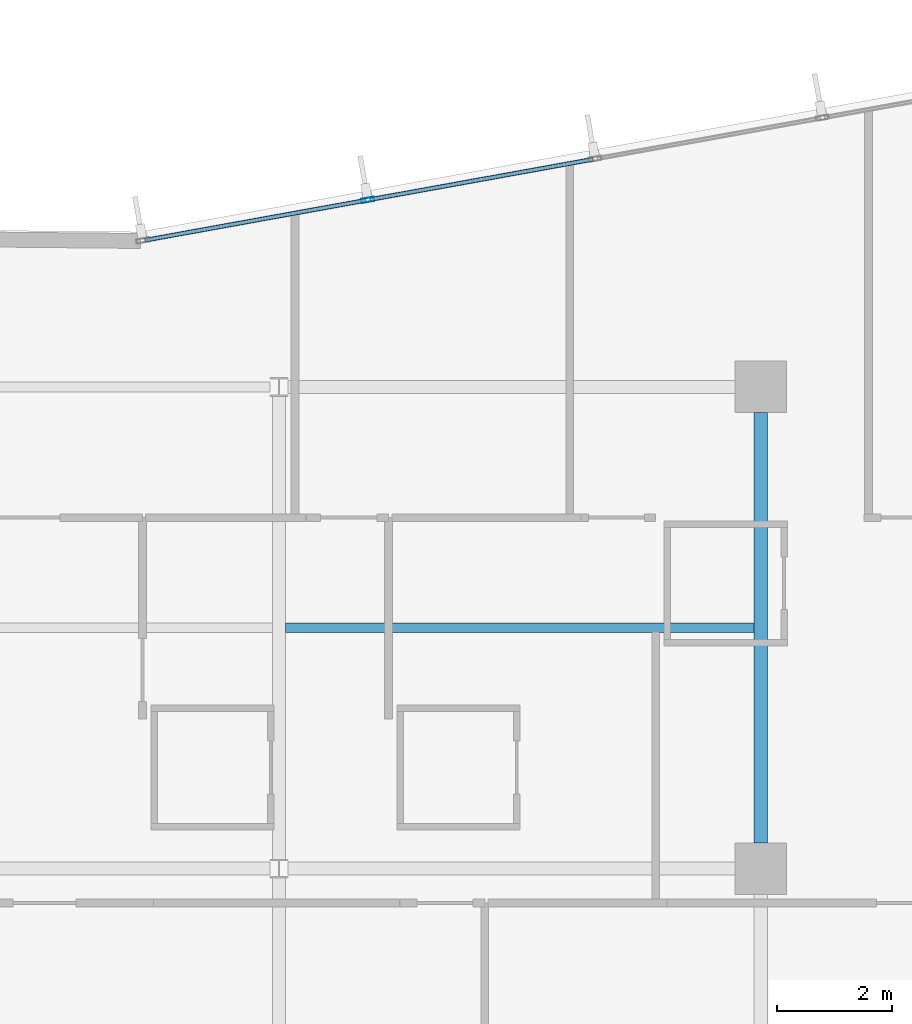
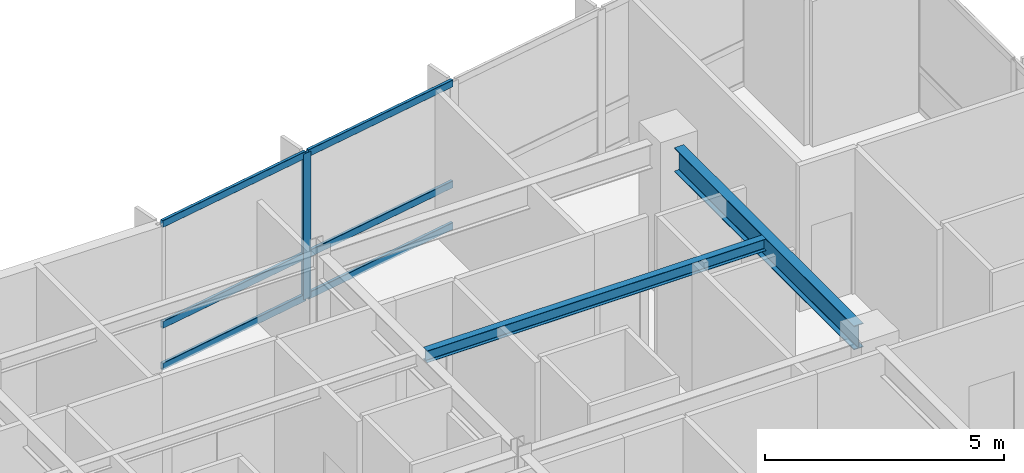
# One storey, part 8 of 22: 7 members, 2 beams, 1 element without a shape of its own.
"""IFC4 building model written with IfcOpenShell, lengths in metres."""

from ifc_helpers import new_model, si_unit, direction, frame, origin, origin_2d, place, context, subcontext, project, spatial, hollow_rectangle, i_section, extrude, material, layer, layer_set, material_profile, profile_set, type_object, element, aggregate, save


model = new_model("IFC4")

# Units and contexts
model_context = context("Model", 3, precision=1e-05, world=origin(), true_north=direction((0.0, 1.0)))
body_context = subcontext(model_context, "Body", "Model", "MODEL_VIEW")
ifc_project = project(units=[si_unit("LENGTHUNIT", "METRE"), si_unit("AREAUNIT", "SQUARE_METRE"), si_unit("VOLUMEUNIT", "CUBIC_METRE"), si_unit("PLANEANGLEUNIT", "RADIAN"), si_unit("MASSUNIT", "GRAM", prefix="KILO")], contexts=[model_context])

# Site, building, storey
site_placement = place(None, origin())
site = spatial("IfcSite", under=ifc_project, at=site_placement, CompositionType="ELEMENT")
building_placement = place(site_placement, origin())
building = spatial("IfcBuilding", under=site, at=building_placement, Name="Varnakote Quay Hospital", CompositionType="ELEMENT")
storey_placement = place(building_placement, frame((0.0, 0.0, 62.0)))
storey = spatial("IfcBuildingStorey", under=building, at=storey_placement, Name="L15", CompositionType="ELEMENT", Elevation=62.0)

# Beam
ifc_material_1 = material(Name="Structural steel AS/NZS 3679.1 Grade 350 L0 (fy 340 MPa)", Category="steel")
ifc_material_profile_1 = material_profile(ifc_material_1, i_section(OverallWidth=0.22900390625, OverallDepth=0.612060546875, WebThickness=0.011962890625, FlangeThickness=0.01953125, FilletRadius=0.013916015625, at=origin_2d()), Name="610UB125")
ifc_profile_set_1 = profile_set([ifc_material_profile_1], Name="Structural steel AS/NZS 3679.1 Grade 350 L0 (fy 340 MPa)")
beam_type_1 = type_object("IfcBeamType", Name="BM-STL-610UB125", PredefinedType="BEAM", material=ifc_profile_set_1)
beam_1_placement = place(storey_placement, frame((50.39990234375, 20.85009765625, 3.404052734375), z_axis=(0.0, 1.0, 0.0), x_axis=(-1.0, 0.0, 0.0)))
element("IfcBeam", 1, at=beam_1_placement, inside=storey, type_object=beam_type_1, Name="L15 Primary Tie Beam", PredefinedType="BEAM", context=body_context, shape_type="SweptSolid", body=[
    extrude(i_section(OverallWidth=0.22900390625, OverallDepth=0.612060546875, WebThickness=0.011962890625, FlangeThickness=0.01953125, FilletRadius=0.013916015625, at=origin_2d()), origin(), (0.0, 0.0, 1.0), 7.5),
])

# Curtain wall, members
ifc_material_2 = material(Name="Anodised aluminium 6063-T6 Bronze", Category="aluminium")
ifc_layer = layer(ifc_material_2, 0.18994140625)
ifc_layer_set = layer_set([ifc_layer], Name="Anodised aluminium 6063-T6 Bronze")
curtain_wall_type = type_object("IfcCurtainWallType", Name="CW-SYS-2", PredefinedType="NOTDEFINED", material=ifc_layer_set)
curtain_wall_placement = place(storey_placement, origin())
curtain_wall = element("IfcCurtainWall", 2, at=curtain_wall_placement, inside=storey, type_object=curtain_wall_type, Name="L15 Unitised Bronze Curtain Wall 2", PredefinedType="NOTDEFINED")
ifc_material_3 = material(Name="Anodised aluminium 6063-T6 Bronze", Category="aluminium")
ifc_material_profile_2 = material_profile(ifc_material_3, hollow_rectangle(XDim=0.074951171875, YDim=0.219970703125, WallThickness=0.00439453125, InnerFilletRadius=0.00439453125, OuterFilletRadius=0.009033203125, at=origin_2d()), Name="CW-MULL-220x75")
ifc_profile_set_2 = profile_set([ifc_material_profile_2], Name="Anodised aluminium 6063-T6 Bronze")
member_type_1 = type_object("IfcMemberType", Name="CW-MULL-220x75", PredefinedType="MULLION", material=ifc_profile_set_2)
member_1_placement = place(storey_placement, frame((43.55224609375, 32.06005859375, 0.0), z_axis=(0.0, 0.0, 1.0), x_axis=(0.177846199098, -0.984058295766, 0.0)))
member_1 = element("IfcMember", 3, at=member_1_placement, type_object=member_type_1, Name="-2-L15-2 mullion 4", PredefinedType="MULLION", context=body_context, shape_type="SweptSolid", body=[
    extrude(hollow_rectangle(XDim=0.074951171875, YDim=0.219970703125, WallThickness=0.00439453125, InnerFilletRadius=0.00439453125, OuterFilletRadius=0.009033203125, at=origin_2d()), origin(), (0.0, 0.0, 1.0), 3.7099609375),
])
ifc_material_4 = material(Name="Anodised aluminium 6063-T6 Bronze", Category="aluminium")
ifc_material_profile_3 = material_profile(ifc_material_4, hollow_rectangle(XDim=0.074951171875, YDim=0.179931640625, WallThickness=0.004150390625, InnerFilletRadius=0.004150390625, OuterFilletRadius=0.00830078125, at=origin_2d()), Name="CW-TRAN-180x75")
ifc_profile_set_3 = profile_set([ifc_material_profile_3], Name="Anodised aluminium 6063-T6 Bronze")
member_type_2 = type_object("IfcMemberType", Name="CW-TRAN-180x75", PredefinedType="USERDEFINED", material=ifc_profile_set_3)
member_2_placement = place(storey_placement, frame((47.477783203125, 32.76953125, 0.03759765625), z_axis=(-0.98405423478, -0.177868667876, 0.0), x_axis=(0.177868667876, -0.98405423478, 0.0)))
member_2 = element("IfcMember", 4, at=member_2_placement, type_object=member_type_2, Name="-2-L15-2 transom 3.1", ObjectType="TRANSOM", PredefinedType="USERDEFINED", context=body_context, shape_type="SweptSolid", body=[
    extrude(hollow_rectangle(XDim=0.074951171875, YDim=0.179931640625, WallThickness=0.004150390625, InnerFilletRadius=0.004150390625, OuterFilletRadius=0.00830078125, at=origin_2d()), origin(), (0.0, 0.0, 1.0), 3.95166015625),
])
member_3_placement = place(storey_placement, frame((47.477783203125, 32.76953125, 1.10009765625), z_axis=(-0.98405423478, -0.177868667876, 0.0), x_axis=(0.177868667876, -0.98405423478, 0.0)))
member_3 = element("IfcMember", 5, at=member_3_placement, type_object=member_type_2, Name="-2-L15-2 transom 3.2", ObjectType="TRANSOM", PredefinedType="USERDEFINED", context=body_context, shape_type="SweptSolid", body=[
    extrude(hollow_rectangle(XDim=0.074951171875, YDim=0.179931640625, WallThickness=0.004150390625, InnerFilletRadius=0.004150390625, OuterFilletRadius=0.00830078125, at=origin_2d()), origin(), (0.0, 0.0, 1.0), 3.95166015625),
])
member_4_placement = place(storey_placement, frame((47.477783203125, 32.76953125, 3.672607421875), z_axis=(-0.98405423478, -0.177868667876, 0.0), x_axis=(0.177868667876, -0.98405423478, 0.0)))
member_4 = element("IfcMember", 6, at=member_4_placement, type_object=member_type_2, Name="-2-L15-2 transom 3.3", ObjectType="TRANSOM", PredefinedType="USERDEFINED", context=body_context, shape_type="SweptSolid", body=[
    extrude(hollow_rectangle(XDim=0.074951171875, YDim=0.179931640625, WallThickness=0.004150390625, InnerFilletRadius=0.004150390625, OuterFilletRadius=0.00830078125, at=origin_2d()), origin(), (0.0, 0.0, 1.0), 3.95166015625),
])
member_5_placement = place(storey_placement, frame((43.515380859375, 32.053466796875, 0.03759765625), z_axis=(-0.984053005206, -0.177875470329, 0.0), x_axis=(0.177875470329, -0.984053005206, 0.0)))
member_5 = element("IfcMember", 7, at=member_5_placement, type_object=member_type_2, Name="-2-L15-2 transom 4.1", ObjectType="TRANSOM", PredefinedType="USERDEFINED", context=body_context, shape_type="SweptSolid", body=[
    extrude(hollow_rectangle(XDim=0.074951171875, YDim=0.179931640625, WallThickness=0.004150390625, InnerFilletRadius=0.004150390625, OuterFilletRadius=0.00830078125, at=origin_2d()), origin(), (0.0, 0.0, 1.0), 3.91455078125),
])
member_6_placement = place(storey_placement, frame((43.515380859375, 32.053466796875, 1.10009765625), z_axis=(-0.984053005206, -0.177875470329, 0.0), x_axis=(0.177875470329, -0.984053005206, 0.0)))
member_6 = element("IfcMember", 8, at=member_6_placement, type_object=member_type_2, Name="-2-L15-2 transom 4.2", ObjectType="TRANSOM", PredefinedType="USERDEFINED", context=body_context, shape_type="SweptSolid", body=[
    extrude(hollow_rectangle(XDim=0.074951171875, YDim=0.179931640625, WallThickness=0.004150390625, InnerFilletRadius=0.004150390625, OuterFilletRadius=0.00830078125, at=origin_2d()), origin(), (0.0, 0.0, 1.0), 3.91455078125),
])
member_7_placement = place(storey_placement, frame((43.515380859375, 32.053466796875, 3.672607421875), z_axis=(-0.984053005206, -0.177875470329, 0.0), x_axis=(0.177875470329, -0.984053005206, 0.0)))
member_7 = element("IfcMember", 9, at=member_7_placement, type_object=member_type_2, Name="-2-L15-2 transom 4.3", ObjectType="TRANSOM", PredefinedType="USERDEFINED", context=body_context, shape_type="SweptSolid", body=[
    extrude(hollow_rectangle(XDim=0.074951171875, YDim=0.179931640625, WallThickness=0.004150390625, InnerFilletRadius=0.004150390625, OuterFilletRadius=0.00830078125, at=origin_2d()), origin(), (0.0, 0.0, 1.0), 3.91455078125),
])
aggregate(curtain_wall, [member_1, member_2, member_3, member_4, member_5, member_6, member_7])

# Beam
ifc_material_5 = material(Name="Structural steel AS/NZS 3679.1 Grade 350 L0 (fy 340 MPa)", Category="steel")
ifc_material_profile_4 = material_profile(ifc_material_5, i_section(OverallWidth=0.1650390625, OverallDepth=0.303955078125, WebThickness=0.006103515625, FlangeThickness=0.01025390625, FilletRadius=0.011474609375, at=origin_2d()), Name="310UB40.4")
ifc_profile_set_4 = profile_set([ifc_material_profile_4], Name="Structural steel AS/NZS 3679.1 Grade 350 L0 (fy 340 MPa)")
beam_type_2 = type_object("IfcBeamType", Name="JST-STL-310UB40-4", PredefinedType="JOIST", material=ifc_profile_set_4)
beam_2_placement = place(storey_placement, frame((42.114501953125, 24.60009765625, 3.55810546875), z_axis=(1.0, 0.0, 0.0), x_axis=(0.0, 1.0, 0.0)))
element("IfcBeam", 10, at=beam_2_placement, inside=storey, type_object=beam_type_2, Name="L15 Composite Floor Joist", PredefinedType="JOIST", context=body_context, shape_type="SweptSolid", body=[
    extrude(i_section(OverallWidth=0.1650390625, OverallDepth=0.303955078125, WebThickness=0.006103515625, FlangeThickness=0.01025390625, FilletRadius=0.011474609375, at=origin_2d()), origin(), (0.0, 0.0, 1.0), 8.1708984375),
])

save(model, "model.ifc")
